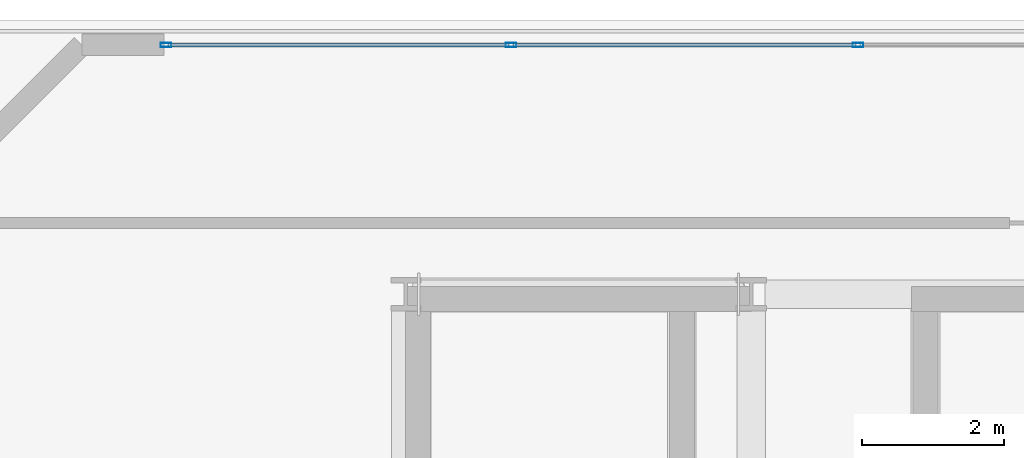
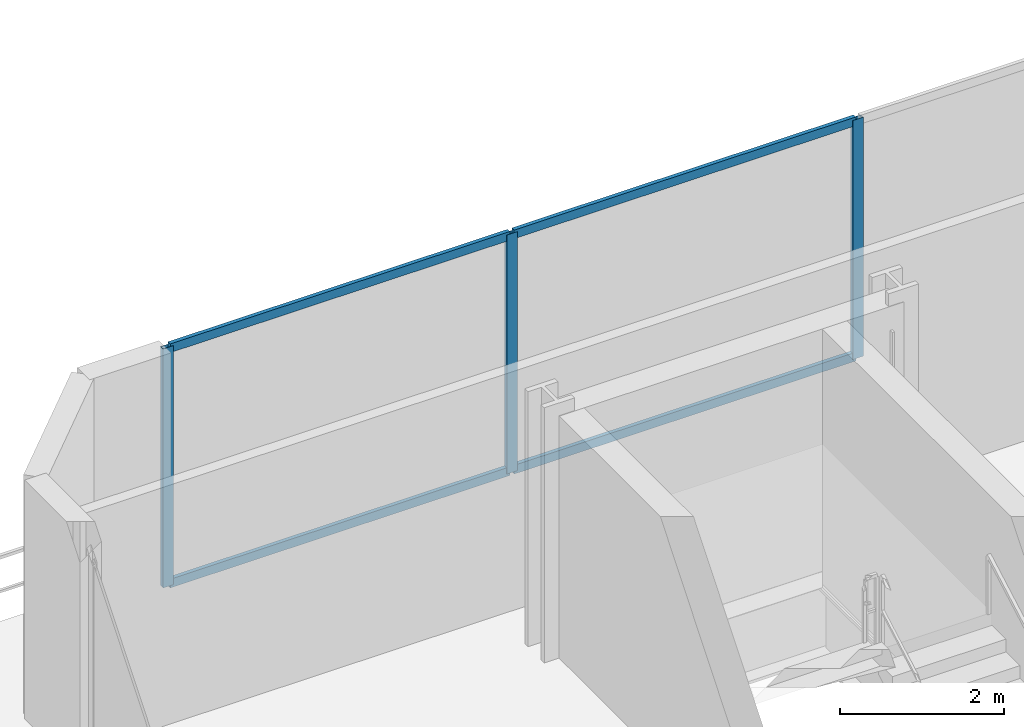
# One storey, part 10 of 16: 7 members, 1 element without a shape of its own.
"""IFC4 building model written with IfcOpenShell, lengths in metres."""

from ifc_helpers import new_model, si_unit, direction, frame, origin, origin_2d, place, context, subcontext, project, spatial, hollow_rectangle, extrude, material, layer, layer_set, material_profile, profile_set, type_object, element, aggregate, save


model = new_model("IFC4")

# Units and contexts
model_context = context("Model", 3, precision=1e-05, world=origin(), true_north=direction((0.0, 1.0)))
body_context = subcontext(model_context, "Body", "Model", "MODEL_VIEW")
ifc_project = project(units=[si_unit("LENGTHUNIT", "METRE"), si_unit("AREAUNIT", "SQUARE_METRE"), si_unit("VOLUMEUNIT", "CUBIC_METRE"), si_unit("PLANEANGLEUNIT", "RADIAN"), si_unit("MASSUNIT", "GRAM", prefix="KILO")], contexts=[model_context])

# Site, building, storey
site_placement = place(None, origin())
site = spatial("IfcSite", under=ifc_project, at=site_placement, CompositionType="ELEMENT")
building_placement = place(site_placement, origin())
building = spatial("IfcBuilding", under=site, at=building_placement, Name="Zuhayl Quay Hotel", CompositionType="ELEMENT")
storey_placement = place(building_placement, frame((0.0, 0.0, 308.64990234375)))
storey = spatial("IfcBuildingStorey", under=building, at=storey_placement, Name="Crown 4", CompositionType="ELEMENT", Elevation=308.64990234375)

# Curtain wall, members
ifc_material_1 = material(Name="Anodised Aluminium 6063-T6", Category="aluminium")
ifc_layer = layer(ifc_material_1, 0.159912109375, Name="Anodised Aluminium 6063-T6", Category="aluminium")
ifc_layer_set = layer_set([ifc_layer], Name="Anodised Aluminium 6063-T6")
curtain_wall_type = type_object("IfcCurtainWallType", Name="CW_SYS_CRN", PredefinedType="USERDEFINED", material=ifc_layer_set)
curtain_wall_placement = place(storey_placement, origin())
curtain_wall = element("IfcCurtainWall", 1, at=curtain_wall_placement, inside=storey, type_object=curtain_wall_type, Name="Crown 4 Curtain Wall ENV_CR4_E3_CW1", ObjectType="UNITISED CURTAIN WALL", PredefinedType="USERDEFINED")
ifc_material_2 = material(Name="Black-anodised aluminium 6063-T6", Category="aluminium")
ifc_material_profile_1 = material_profile(ifc_material_2, hollow_rectangle(XDim=0.06005859375, YDim=0.14990234375, WallThickness=0.00341796875, at=origin_2d()), Name="ALU150X60")
ifc_profile_set_1 = profile_set([ifc_material_profile_1], Name="Black-anodised aluminium 6063-T6")
member_type_1 = type_object("IfcMemberType", Name="MB_CW_MUL_150", PredefinedType="MULLION", material=ifc_profile_set_1)
member_1_placement = place(storey_placement, frame((-12.820068359375, 37.949951171875, 0.0), z_axis=(0.0, 0.0, 1.0), x_axis=(0.0, 1.0, 0.0)))
member_1 = element("IfcMember", 2, at=member_1_placement, type_object=member_type_1, Name="CW-CRN mullion 1", PredefinedType="MULLION", context=body_context, shape_type="SweptSolid", body=[
    extrude(hollow_rectangle(XDim=0.06005859375, YDim=0.14990234375, WallThickness=0.00341796875, at=origin_2d()), origin(), (0.0, 0.0, 1.0), 3.56005859375),
])
member_2_placement = place(storey_placement, frame((-7.97509765625, 37.949951171875, 0.0), z_axis=(0.0, 0.0, 1.0), x_axis=(0.0, 1.0, 0.0)))
member_2 = element("IfcMember", 3, at=member_2_placement, type_object=member_type_1, Name="CW-CRN mullion 2", PredefinedType="MULLION", context=body_context, shape_type="SweptSolid", body=[
    extrude(hollow_rectangle(XDim=0.06005859375, YDim=0.14990234375, WallThickness=0.00341796875, at=origin_2d()), origin(), (0.0, 0.0, 1.0), 3.56005859375),
])
member_3_placement = place(storey_placement, frame((-3.10009765625, 37.949951171875, 0.0), z_axis=(0.0, 0.0, 1.0), x_axis=(0.0, 1.0, 0.0)))
member_3 = element("IfcMember", 4, at=member_3_placement, type_object=member_type_1, Name="CW-CRN mullion 3", PredefinedType="MULLION", context=body_context, shape_type="SweptSolid", body=[
    extrude(hollow_rectangle(XDim=0.06005859375, YDim=0.14990234375, WallThickness=0.00341796875, at=origin_2d()), origin(), (0.0, 0.0, 1.0), 3.56005859375),
])
ifc_material_profile_2 = material_profile(ifc_material_2, hollow_rectangle(XDim=0.054931640625, YDim=0.1298828125, WallThickness=0.0029296875, at=origin_2d()), Name="ALU130X55")
ifc_profile_set_2 = profile_set([ifc_material_profile_2], Name="Black-anodised aluminium 6063-T6")
member_type_2 = type_object("IfcMemberType", Name="MB_CW_TRN_130", PredefinedType="USERDEFINED", material=ifc_profile_set_2)
member_4_placement = place(storey_placement, frame((-12.7900390625, 37.949951171875, 0.027587890625), z_axis=(1.0, 0.0, 0.0), x_axis=(0.0, 1.0, 0.0)))
member_4 = element("IfcMember", 5, at=member_4_placement, type_object=member_type_2, Name="CW-CRN transom 1.1", ObjectType="TRANSOM", PredefinedType="USERDEFINED", context=body_context, shape_type="SweptSolid", body=[
    extrude(hollow_rectangle(XDim=0.054931640625, YDim=0.1298828125, WallThickness=0.0029296875, at=origin_2d()), origin(), (0.0, 0.0, 1.0), 4.78515625),
])
member_5_placement = place(storey_placement, frame((-12.7900390625, 37.949951171875, 3.53271484375), z_axis=(1.0, 0.0, 0.0), x_axis=(0.0, 1.0, 0.0)))
member_5 = element("IfcMember", 6, at=member_5_placement, type_object=member_type_2, Name="CW-CRN transom 1.2", ObjectType="TRANSOM", PredefinedType="USERDEFINED", context=body_context, shape_type="SweptSolid", body=[
    extrude(hollow_rectangle(XDim=0.054931640625, YDim=0.1298828125, WallThickness=0.0029296875, at=origin_2d()), origin(), (0.0, 0.0, 1.0), 4.78515625),
])
member_6_placement = place(storey_placement, frame((-7.945068359375, 37.949951171875, 0.027587890625), z_axis=(1.0, 0.0, 0.0), x_axis=(0.0, 1.0, 0.0)))
member_6 = element("IfcMember", 7, at=member_6_placement, type_object=member_type_2, Name="CW-CRN transom 2.1", ObjectType="TRANSOM", PredefinedType="USERDEFINED", context=body_context, shape_type="SweptSolid", body=[
    extrude(hollow_rectangle(XDim=0.054931640625, YDim=0.1298828125, WallThickness=0.0029296875, at=origin_2d()), origin(), (0.0, 0.0, 1.0), 4.815185546875),
])
member_7_placement = place(storey_placement, frame((-7.945068359375, 37.949951171875, 3.53271484375), z_axis=(1.0, 0.0, 0.0), x_axis=(0.0, 1.0, 0.0)))
member_7 = element("IfcMember", 8, at=member_7_placement, type_object=member_type_2, Name="CW-CRN transom 2.2", ObjectType="TRANSOM", PredefinedType="USERDEFINED", context=body_context, shape_type="SweptSolid", body=[
    extrude(hollow_rectangle(XDim=0.054931640625, YDim=0.1298828125, WallThickness=0.0029296875, at=origin_2d()), origin(), (0.0, 0.0, 1.0), 4.815185546875),
])
aggregate(curtain_wall, [member_1, member_2, member_3, member_4, member_5, member_6, member_7])

save(model, "model.ifc")
